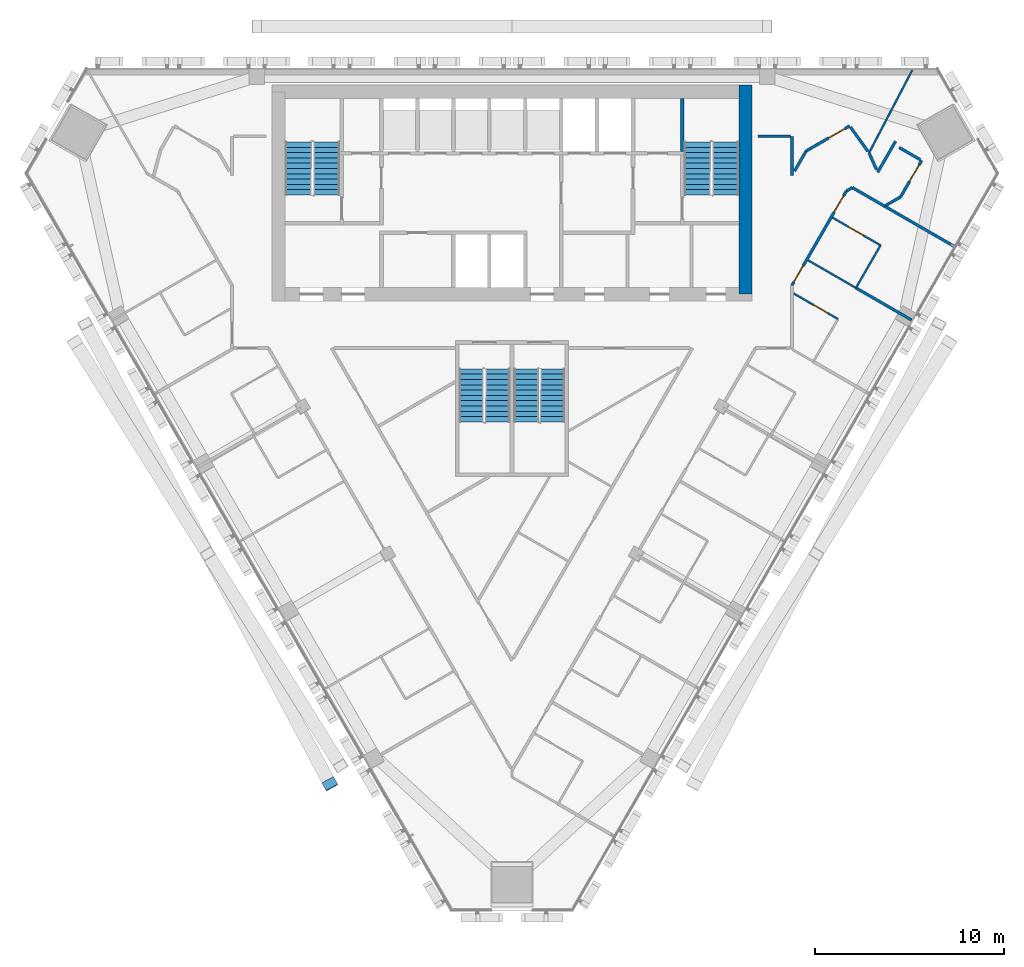
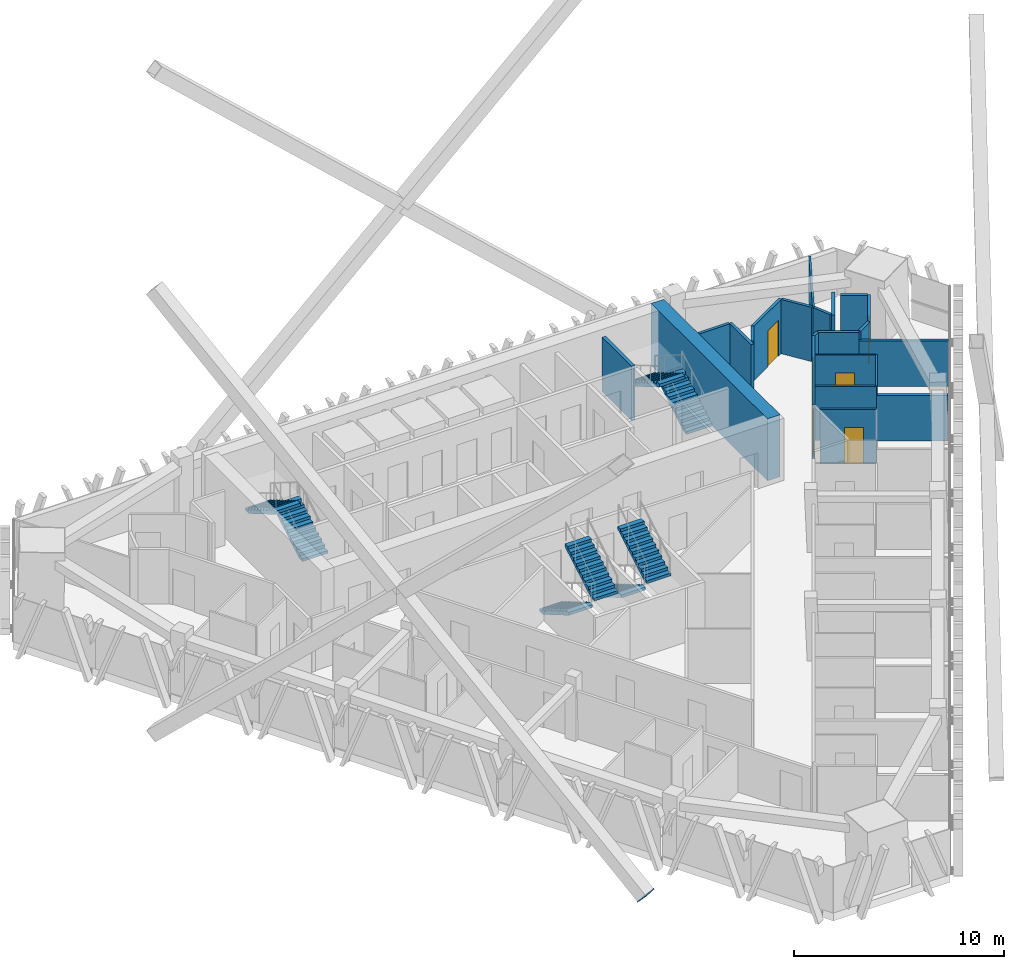
# One storey, part 13 of 17: 22 walls, 8 stair flights, 6 doors, 1 discrete accessory, 6 openings, 4 elements without a shape of their own.
"""IFC4 building model written with IfcOpenShell, lengths in metres."""

from ifc_helpers import new_model, si_unit, direction, frame, frame_2d, origin, origin_2d, place, context, subcontext, project, spatial, polyline, rectangle, outline, extrude, material, layer, layer_set, material_profile, profile_set, type_object, element, fill, aggregate, save


model = new_model("IFC4")

# Units and contexts
model_context = context("Model", 3, precision=1e-05, world=origin(), true_north=direction((0.0, 1.0)))
body_context = subcontext(model_context, "Body", "Model", "MODEL_VIEW")
ifc_project = project(units=[si_unit("LENGTHUNIT", "METRE"), si_unit("AREAUNIT", "SQUARE_METRE"), si_unit("VOLUMEUNIT", "CUBIC_METRE"), si_unit("PLANEANGLEUNIT", "RADIAN"), si_unit("MASSUNIT", "GRAM", prefix="KILO")], contexts=[model_context])

# Site, building, storey
site_placement = place(None, origin())
site = spatial("IfcSite", under=ifc_project, at=site_placement, CompositionType="ELEMENT")
building_placement = place(site_placement, origin())
building = spatial("IfcBuilding", under=site, at=building_placement, Name="Altiplano Prism Tower", CompositionType="ELEMENT")
storey_placement = place(building_placement, frame((0.0, 0.0, 194.39990234375)))
storey = spatial("IfcBuildingStorey", under=building, at=storey_placement, Name="L50", CompositionType="ELEMENT", Elevation=194.39990234375)

# Wall
ifc_material_1 = material(Name="Concrete C60/75", Category="concrete")
ifc_layer_1 = layer(ifc_material_1, 0.699951171875)
ifc_layer_set_1 = layer_set([ifc_layer_1], Name="Concrete C60/75")
wall_type_1 = type_object("IfcWallType", Name="Core wall 700", PredefinedType="SHEAR", material=ifc_layer_set_1)
wall_1_placement = place(storey_placement, frame((97.35009765625, 93.050048828125, 0.0), z_axis=(0.0, 0.0, 1.0), x_axis=(0.0, 1.0, 0.0)))
element("IfcWall", 1, at=wall_1_placement, inside=storey, type_object=wall_type_1, Name="Core wall E L50", PredefinedType="SHEAR", context=body_context, shape_type="SweptSolid", body=[
    extrude(rectangle(XDim=11.050048828125, YDim=0.699951171875, at=frame_2d((5.52490234375, 0.0))), origin(), (0.0, 0.0, 1.0), 3.60009765625),
])

# Wall, opening, door
ifc_material_2 = material(Name="Plasterboard on steel stud", Category="steel")
ifc_layer_2 = layer(ifc_material_2, 0.10009765625)
ifc_layer_set_2 = layer_set([ifc_layer_2], Name="Plasterboard on steel stud")
wall_type_2 = type_object("IfcWallType", Name="Partition 100 unit", PredefinedType="PARTITIONING", material=ifc_layer_set_2)
wall_2_placement = place(storey_placement, frame((99.89990234375, 93.0869140625, 0.0), z_axis=(0.0, 0.0, 1.0), x_axis=(0.866028828302, -0.499994068514, 0.0)))
wall_2 = element("IfcWall", 2, at=wall_2_placement, inside=storey, type_object=wall_type_2, Name="Partition P02 L50 080", PredefinedType="PARTITIONING", context=body_context, shape_type="SweptSolid", body=[
    extrude(rectangle(XDim=2.697265625, YDim=0.10009765625, at=frame_2d((1.3486328125, 0.0))), origin(), (0.0, 0.0, 1.0), 3.150146484375),
])
opening_1_placement = place(wall_2_placement, frame((1.1708984375, 0.0, 0.0)))
opening_1 = element("IfcOpeningElement", 3, at=opening_1_placement, cuts=wall_2, Name="Opening D1765", PredefinedType="OPENING", context=body_context, shape_type="SweptSolid", body=[
    extrude(rectangle(XDim=0.89990234375, YDim=2.10009765625, at=frame_2d((0.449951171875, 1.050048828125))), frame((0.0, 0.060546875, 0.0), z_axis=(0.0, -1.0, 0.0), x_axis=(1.0, 0.0, 0.0)), (0.0, 0.0, 1.0), 0.12109375),
])
ifc_material_3 = material(Name="Timber", Category="wood")
door_type_1 = type_object("IfcDoorType", Name="Ensuite door 900 x 2100", OperationType="NOTDEFINED", PredefinedType="NOTDEFINED", material=ifc_material_3)
door_1_placement = place(opening_1_placement, origin())
door_1 = element("IfcDoor", 4, at=door_1_placement, inside=storey, type_object=door_type_1, Name="Door D1765", OperationType="SINGLE_SWING_RIGHT", OverallHeight=2.10009765625, OverallWidth=0.89990234375, PredefinedType="NOTDEFINED", context=body_context, shape_type="SweptSolid", body=[
    extrude(rectangle(XDim=0.89990234375, YDim=2.10009765625, at=frame_2d((0.449951171875, 1.050048828125))), frame((0.0, 0.02490234375, 0.0), z_axis=(0.0, -1.0, 0.0), x_axis=(1.0, 0.0, 0.0)), (0.0, 0.0, 1.0), 0.050048828125),
])
fill(opening_1, door_1)

wall_3_placement = place(storey_placement, frame((101.952880859375, 97.097900390625, 0.0), z_axis=(0.0, 0.0, 1.0), x_axis=(0.866025730634, -0.499999433879, 0.0)))
wall_3 = element("IfcWall", 5, at=wall_3_placement, inside=storey, type_object=wall_type_2, Name="Partition P02 L50 084", PredefinedType="PARTITIONING", context=body_context, shape_type="SweptSolid", body=[
    extrude(rectangle(XDim=2.9248046875, YDim=0.10009765625, at=frame_2d((1.46240234375, 0.0))), origin(), (0.0, 0.0, 1.0), 3.150146484375),
])
opening_2_placement = place(wall_3_placement, frame((0.97509765625, 0.0, 0.0)))
opening_2 = element("IfcOpeningElement", 6, at=opening_2_placement, cuts=wall_3, Name="Opening D1767", PredefinedType="OPENING", context=body_context, shape_type="SweptSolid", body=[
    extrude(rectangle(XDim=0.89990234375, YDim=2.10009765625, at=frame_2d((0.449951171875, 1.050048828125))), frame((0.0, 0.060546875, 0.0), z_axis=(0.0, -1.0, 0.0), x_axis=(1.0, 0.0, 0.0)), (0.0, 0.0, 1.0), 0.12109375),
])
door_2_placement = place(opening_2_placement, origin())
door_2 = element("IfcDoor", 7, at=door_2_placement, inside=storey, type_object=door_type_1, Name="Door D1767", OperationType="SINGLE_SWING_RIGHT", OverallHeight=2.10009765625, OverallWidth=0.89990234375, PredefinedType="NOTDEFINED", context=body_context, shape_type="SweptSolid", body=[
    extrude(rectangle(XDim=0.89990234375, YDim=2.10009765625, at=frame_2d((0.449951171875, 1.050048828125))), frame((0.0, 0.02490234375, 0.0), z_axis=(0.0, -1.0, 0.0), x_axis=(1.0, 0.0, 0.0)), (0.0, 0.0, 1.0), 0.050048828125),
])
fill(opening_2, door_2)

# Walls
wall_4_placement = place(storey_placement, frame((104.48583984375, 95.635498046875, 0.0), z_axis=(0.0, 0.0, 1.0), x_axis=(-0.499936506574, -0.866062058628, 0.0)))
element("IfcWall", 8, at=wall_4_placement, inside=storey, type_object=wall_type_2, Name="Partition P02 L50 085", PredefinedType="PARTITIONING", context=body_context, shape_type="SweptSolid", body=[
    extrude(rectangle(XDim=2.599853515625, YDim=0.10009765625, at=frame_2d((1.2998046875, 0.0))), origin(), (0.0, 0.0, 1.0), 3.150146484375),
])
ifc_layer_3 = layer(ifc_material_2, 0.10009765625)
ifc_layer_set_3 = layer_set([ifc_layer_3], Name="Plasterboard on steel stud")
wall_type_3 = type_object("IfcWallType", Name="Partition 100 wet", PredefinedType="PARTITIONING", material=ifc_layer_set_3)
wall_5_placement = place(storey_placement, frame((103.18603515625, 93.3837890625, 0.0), z_axis=(0.0, 0.0, 1.0), x_axis=(-0.866046596414, 0.499963291492, 0.0)))
element("IfcWall", 9, at=wall_5_placement, inside=storey, type_object=wall_type_3, Name="Partition P03 L50 083", PredefinedType="PARTITIONING", context=body_context, shape_type="SweptSolid", body=[
    extrude(rectangle(XDim=2.925048828125, YDim=0.10009765625, at=frame_2d((1.46240234375, 0.0))), origin(), (0.0, 0.0, 1.0), 3.150146484375),
])
wall_6_placement = place(storey_placement, frame((106.1650390625, 104.89990234375, 0.0), z_axis=(0.0, 0.0, 1.0), x_axis=(-0.462924145424, -0.886397899131, 0.0)))
element("IfcWall", 10, at=wall_6_placement, inside=storey, type_object=wall_type_3, Name="Partition P03 L50 087", PredefinedType="PARTITIONING", context=body_context, shape_type="SweptSolid", body=[
    extrude(rectangle(XDim=4.9384765625, YDim=0.10009765625, at=frame_2d((2.46923828125, 0.0))), origin(), (0.0, 0.0, 1.0), 2.650146484375),
])
ifc_layer_4 = layer(ifc_material_2, 0.14990234375)
ifc_layer_set_4 = layer_set([ifc_layer_4], Name="Plasterboard on steel stud")
wall_type_4 = type_object("IfcWallType", Name="Partition 150 corridor", PredefinedType="PARTITIONING", material=ifc_layer_set_4)
wall_7_placement = place(storey_placement, frame((102.67578125, 98.5, 0.0), z_axis=(0.0, 0.0, 1.0), x_axis=(0.865946660792, 0.500136362069, 0.0)))
element("IfcWall", 11, at=wall_7_placement, inside=storey, type_object=wall_type_4, Name="Partition P06 L50 011", PredefinedType="PARTITIONING", context=body_context, shape_type="SweptSolid", body=[
    extrude(rectangle(XDim=0.37451171875, YDim=0.14990234375, at=frame_2d((0.187255859375, 0.0))), origin(), (0.0, 0.0, 1.0), 3.150146484375),
])
wall_8_placement = place(storey_placement, frame((103.0, 98.687255859375, 0.0), z_axis=(0.0, 0.0, 1.0), x_axis=(0.865995203459, -0.50005230485, 0.0)))
element("IfcWall", 12, at=wall_8_placement, inside=storey, type_object=wall_type_4, Name="Partition P06 L50 012", PredefinedType="PARTITIONING", context=body_context, shape_type="SweptSolid", body=[
    extrude(rectangle(XDim=1.986083984375, YDim=0.14990234375, at=frame_2d((0.9931640625, 0.0))), origin(), (0.0, 0.0, 1.0), 3.150146484375),
])

# Wall, openings, doors
wall_9_placement = place(storey_placement, frame((99.800048828125, 93.51904296875, 0.0), z_axis=(0.0, 0.0, 1.0), x_axis=(0.499996810272, 0.866027245367, 0.0)))
wall_9 = element("IfcWall", 13, at=wall_9_placement, inside=storey, type_object=wall_type_4, Name="Partition P06 L50 013", PredefinedType="PARTITIONING", context=body_context, shape_type="SweptSolid", body=[
    extrude(rectangle(XDim=5.75146484375, YDim=0.14990234375, at=frame_2d((2.875732421875, 0.0))), origin(), (0.0, 0.0, 1.0), 3.150146484375),
])
opening_3_placement = place(wall_9_placement, frame((0.199951171875, 0.0, 0.0)))
opening_3 = element("IfcOpeningElement", 14, at=opening_3_placement, cuts=wall_9, Name="Opening D1764", PredefinedType="OPENING", context=body_context, shape_type="SweptSolid", body=[
    extrude(rectangle(XDim=1.0, YDim=2.10009765625, at=frame_2d((0.5, 1.050048828125))), frame((0.0, 0.08544921875, 0.0), z_axis=(0.0, -1.0, 0.0), x_axis=(1.0, 0.0, 0.0)), (0.0, 0.0, 1.0), 0.1708984375),
])
opening_4_placement = place(wall_9_placement, frame((4.468994140625, 0.0, 0.0)))
opening_4 = element("IfcOpeningElement", 15, at=opening_4_placement, cuts=wall_9, Name="Opening D1766", PredefinedType="OPENING", context=body_context, shape_type="SweptSolid", body=[
    extrude(rectangle(XDim=1.0, YDim=2.10009765625, at=frame_2d((0.5, 1.050048828125))), frame((0.0, 0.08544921875, 0.0), z_axis=(0.0, -1.0, 0.0), x_axis=(1.0, 0.0, 0.0)), (0.0, 0.0, 1.0), 0.1708984375),
])
door_type_2 = type_object("IfcDoorType", Name="Bedroom entrance door 1000 x 2100", OperationType="NOTDEFINED", PredefinedType="NOTDEFINED", material=ifc_material_3)
door_3_placement = place(opening_3_placement, origin())
door_3 = element("IfcDoor", 16, at=door_3_placement, inside=storey, type_object=door_type_2, Name="Door D1764", OperationType="SINGLE_SWING_LEFT", OverallHeight=2.10009765625, OverallWidth=1.0, PredefinedType="NOTDEFINED", context=body_context, shape_type="SweptSolid", body=[
    extrude(rectangle(XDim=1.0, YDim=2.10009765625, at=frame_2d((0.5, 1.050048828125))), frame((0.0, 0.02490234375, 0.0), z_axis=(0.0, -1.0, 0.0), x_axis=(1.0, 0.0, 0.0)), (0.0, 0.0, 1.0), 0.050048828125),
])
fill(opening_3, door_3)
door_4_placement = place(opening_4_placement, origin())
door_4 = element("IfcDoor", 17, at=door_4_placement, inside=storey, type_object=door_type_2, Name="Door D1766", OperationType="SINGLE_SWING_LEFT", OverallHeight=2.10009765625, OverallWidth=1.0, PredefinedType="NOTDEFINED", context=body_context, shape_type="SweptSolid", body=[
    extrude(rectangle(XDim=1.0, YDim=2.10009765625, at=frame_2d((0.5, 1.050048828125))), frame((0.0, 0.02490234375, 0.0), z_axis=(0.0, -1.0, 0.0), x_axis=(1.0, 0.0, 0.0)), (0.0, 0.0, 1.0), 0.050048828125),
])
fill(opening_4, door_4)

# Wall
wall_10_placement = place(storey_placement, frame((104.766357421875, 97.743896484375, 0.0), z_axis=(0.0, 0.0, 1.0), x_axis=(0.865951076121, 0.500128717197, 0.0)))
element("IfcWall", 18, at=wall_10_placement, inside=storey, type_object=wall_type_4, Name="Partition P06 L50 014", PredefinedType="PARTITIONING", context=body_context, shape_type="SweptSolid", body=[
    extrude(rectangle(XDim=0.901611328125, YDim=0.14990234375, at=frame_2d((0.45068359375, 0.0))), origin(), (0.0, 0.0, 1.0), 3.150146484375),
])

# Wall, opening, door
wall_11_placement = place(storey_placement, frame((105.547119140625, 98.19482421875, 0.0), z_axis=(0.0, 0.0, 1.0), x_axis=(0.499985160367, 0.866033971281, 0.0)))
wall_11 = element("IfcWall", 19, at=wall_11_placement, inside=storey, type_object=wall_type_4, Name="Partition P06 L50 015", PredefinedType="PARTITIONING", context=body_context, shape_type="SweptSolid", body=[
    extrude(rectangle(XDim=2.2255859375, YDim=0.14990234375, at=frame_2d((1.11279296875, 0.0))), origin(), (0.0, 0.0, 1.0), 3.150146484375),
])
opening_5_placement = place(wall_11_placement, frame((0.9599609375, 0.0, 0.0)))
opening_5 = element("IfcOpeningElement", 20, at=opening_5_placement, cuts=wall_11, Name="Opening D1768", PredefinedType="OPENING", context=body_context, shape_type="SweptSolid", body=[
    extrude(rectangle(XDim=1.0, YDim=2.10009765625, at=frame_2d((0.5, 1.050048828125))), frame((0.0, 0.08544921875, 0.0), z_axis=(0.0, -1.0, 0.0), x_axis=(1.0, 0.0, 0.0)), (0.0, 0.0, 1.0), 0.1708984375),
])
door_type_3 = type_object("IfcDoorType", Name="Room door 1000 x 2100", OperationType="NOTDEFINED", PredefinedType="NOTDEFINED", material=ifc_material_3)
door_5_placement = place(opening_5_placement, origin())
door_5 = element("IfcDoor", 21, at=door_5_placement, inside=storey, type_object=door_type_3, Name="Door D1768", OperationType="SINGLE_SWING_LEFT", OverallHeight=2.10009765625, OverallWidth=1.0, PredefinedType="NOTDEFINED", context=body_context, shape_type="SweptSolid", body=[
    extrude(rectangle(XDim=1.0, YDim=2.10009765625, at=frame_2d((0.5, 1.050048828125))), frame((0.0, 0.02490234375, 0.0), z_axis=(0.0, -1.0, 0.0), x_axis=(1.0, 0.0, 0.0)), (0.0, 0.0, 1.0), 0.050048828125),
])
fill(opening_5, door_5)

# Walls
wall_12_placement = place(storey_placement, frame((106.594970703125, 100.15966796875, 0.0), z_axis=(0.0, 0.0, 1.0), x_axis=(-0.865999760466, 0.500044412901, 0.0)))
element("IfcWall", 22, at=wall_12_placement, inside=storey, type_object=wall_type_4, Name="Partition P06 L50 016", PredefinedType="PARTITIONING", context=body_context, shape_type="SweptSolid", body=[
    extrude(rectangle(XDim=1.291015625, YDim=0.14990234375, at=frame_2d((0.6455078125, 0.0))), origin(), (0.0, 0.0, 1.0), 3.150146484375),
])
wall_13_placement = place(storey_placement, frame((105.2841796875, 101.139404296875, 0.0), z_axis=(0.0, 0.0, 1.0), x_axis=(-0.50000898992, -0.86602021339, 0.0)))
element("IfcWall", 23, at=wall_13_placement, inside=storey, type_object=wall_type_4, Name="Partition P06 L50 017", PredefinedType="PARTITIONING", context=body_context, shape_type="SweptSolid", body=[
    extrude(rectangle(XDim=1.89306640625, YDim=0.14990234375, at=frame_2d((0.946533203125, 0.0))), origin(), (0.0, 0.0, 1.0), 3.150146484375),
])
wall_14_placement = place(storey_placement, frame((104.277587890625, 99.6337890625, 0.0), z_axis=(0.0, 0.0, 1.0), x_axis=(-0.409322178259, 0.912389913571, 0.0)))
element("IfcWall", 24, at=wall_14_placement, inside=storey, type_object=wall_type_4, Name="Partition P06 L50 018", PredefinedType="PARTITIONING", context=body_context, shape_type="SweptSolid", body=[
    extrude(rectangle(XDim=0.97412109375, YDim=0.14990234375, at=frame_2d((0.487060546875, 0.0))), origin(), (0.0, 0.0, 1.0), 3.150146484375),
])
wall_15_placement = place(storey_placement, frame((103.82421875, 100.5986328125, 0.0), z_axis=(0.0, 0.0, 1.0), x_axis=(-0.583515838317, 0.812101758669, 0.0)))
element("IfcWall", 25, at=wall_15_placement, inside=storey, type_object=wall_type_4, Name="Partition P06 L50 019", PredefinedType="PARTITIONING", context=body_context, shape_type="SweptSolid", body=[
    extrude(rectangle(XDim=1.59033203125, YDim=0.14990234375, at=frame_2d((0.795166015625, 0.0))), origin(), (0.0, 0.0, 1.0), 3.150146484375),
])

# Wall, opening, door
wall_16_placement = place(storey_placement, frame((102.852783203125, 101.950927734375, 0.0), z_axis=(0.0, 0.0, 1.0), x_axis=(-0.866034036823, -0.49998504684, 0.0)))
wall_16 = element("IfcWall", 26, at=wall_16_placement, inside=storey, type_object=wall_type_4, Name="Partition P06 L50 020", PredefinedType="PARTITIONING", context=body_context, shape_type="SweptSolid", body=[
    extrude(rectangle(XDim=2.65576171875, YDim=0.14990234375, at=frame_2d((1.327880859375, 0.0))), origin(), (0.0, 0.0, 1.0), 3.150146484375),
])
opening_6_placement = place(wall_16_placement, frame((0.2900390625, 0.0, 0.0)))
opening_6 = element("IfcOpeningElement", 27, at=opening_6_placement, cuts=wall_16, Name="Opening D1769", PredefinedType="OPENING", context=body_context, shape_type="SweptSolid", body=[
    extrude(rectangle(XDim=1.0, YDim=2.10009765625, at=frame_2d((0.5, 1.050048828125))), frame((0.0, 0.08544921875, 0.0), z_axis=(0.0, -1.0, 0.0), x_axis=(1.0, 0.0, 0.0)), (0.0, 0.0, 1.0), 0.1708984375),
])
door_6_placement = place(opening_6_placement, origin())
door_6 = element("IfcDoor", 28, at=door_6_placement, inside=storey, type_object=door_type_3, Name="Door D1769", OperationType="SINGLE_SWING_RIGHT", OverallHeight=2.10009765625, OverallWidth=1.0, PredefinedType="NOTDEFINED", context=body_context, shape_type="SweptSolid", body=[
    extrude(rectangle(XDim=1.0, YDim=2.10009765625, at=frame_2d((0.5, 1.050048828125))), frame((0.0, 0.02490234375, 0.0), z_axis=(0.0, -1.0, 0.0), x_axis=(1.0, 0.0, 0.0)), (0.0, 0.0, 1.0), 0.050048828125),
])
fill(opening_6, door_6)

# Walls
wall_17_placement = place(storey_placement, frame((100.552734375, 100.623046875, 0.0), z_axis=(0.0, 0.0, 1.0), x_axis=(-0.499952348839, -0.866052913447, 0.0)))
element("IfcWall", 29, at=wall_17_placement, inside=storey, type_object=wall_type_4, Name="Partition P06 L50 021", PredefinedType="PARTITIONING", context=body_context, shape_type="SweptSolid", body=[
    extrude(rectangle(XDim=1.2255859375, YDim=0.14990234375, at=frame_2d((0.61279296875, 0.0))), origin(), (0.0, 0.0, 1.0), 3.150146484375),
])
wall_18_placement = place(storey_placement, frame((99.800048828125, 99.319091796875, 0.0), z_axis=(0.0, 0.0, 1.0), x_axis=(0.0, 1.0, 0.0)))
element("IfcWall", 30, at=wall_18_placement, inside=storey, type_object=wall_type_4, Name="Partition P06 L50 022", PredefinedType="PARTITIONING", context=body_context, shape_type="SweptSolid", body=[
    extrude(rectangle(XDim=2.080810546875, YDim=0.14990234375, at=frame_2d((1.04052734375, 0.0))), origin(), (0.0, 0.0, 1.0), 3.150146484375),
])
wall_19_placement = place(storey_placement, frame((99.72509765625, 101.39990234375, 0.0), z_axis=(0.0, 0.0, 1.0), x_axis=(-1.0, 0.0, 0.0)))
element("IfcWall", 31, at=wall_19_placement, inside=storey, type_object=wall_type_4, Name="Partition P06 L50 023", PredefinedType="PARTITIONING", context=body_context, shape_type="SweptSolid", body=[
    extrude(rectangle(XDim=1.72509765625, YDim=0.14990234375, at=frame_2d((0.862548828125, 0.0))), origin(), (0.0, 0.0, 1.0), 3.150146484375),
])
ifc_layer_5 = layer(ifc_material_2, 0.14990234375)
ifc_layer_set_5 = layer_set([ifc_layer_5], Name="Plasterboard on steel stud")
wall_type_5 = type_object("IfcWallType", Name="Partition 150 party", PredefinedType="PARTITIONING", material=ifc_layer_set_5)
wall_20_placement = place(storey_placement, frame((106.13037109375, 91.683837890625, 0.0), z_axis=(0.0, 0.0, 1.0), x_axis=(-0.866020560687, 0.500008388397, 0.0)))
element("IfcWall", 32, at=wall_20_placement, inside=storey, type_object=wall_type_5, Name="Partition P01 L50 082", PredefinedType="PARTITIONING", context=body_context, shape_type="SweptSolid", body=[
    extrude(rectangle(XDim=3.39990234375, YDim=0.14990234375, at=frame_2d((1.699951171875, 0.0))), origin(), (0.0, 0.0, 1.0), 2.650146484375),
])
wall_21_placement = place(storey_placement, frame((108.39794921875, 95.57080078125, 0.0), z_axis=(0.0, 0.0, 1.0), x_axis=(-0.866028486751, 0.499994660107, 0.0)))
element("IfcWall", 33, at=wall_21_placement, inside=storey, type_object=wall_type_5, Name="Partition P01 L50 086", PredefinedType="PARTITIONING", context=body_context, shape_type="SweptSolid", body=[
    extrude(rectangle(XDim=4.27001953125, YDim=0.14990234375, at=frame_2d((2.135009765625, 0.0))), origin(), (0.0, 0.0, 1.0), 2.650146484375),
])
ifc_layer_6 = layer(ifc_material_1, 0.199951171875)
ifc_layer_set_6 = layer_set([ifc_layer_6], Name="Concrete C60/75")
wall_type_6 = type_object("IfcWallType", Name="Stair wall 200", PredefinedType="SOLIDWALL", material=ifc_layer_set_6)
wall_22_placement = place(storey_placement, frame((94.0, 100.60009765625, 0.0), z_axis=(0.0, 0.0, 1.0), x_axis=(0.0, 1.0, 0.0)))
element("IfcWall", 34, at=wall_22_placement, inside=storey, type_object=wall_type_6, Name="Stair wall L50", PredefinedType="SOLIDWALL", context=body_context, shape_type="SweptSolid", body=[
    extrude(rectangle(XDim=2.7998046875, YDim=0.199951171875, at=frame_2d((1.39990234375, 0.0))), origin(), (0.0, 0.0, 1.0), 3.150146484375),
])

# Stair, stair flights
ifc_material_4 = material(Name="Concrete C40/50", Category="concrete")
stair_type_1 = type_object("IfcStairType", Name="Exit stair 1400", PredefinedType="HALF_TURN_STAIR", material=ifc_material_4)
stair_1_placement = place(storey_placement, origin())
stair_1 = element("IfcStair", 35, at=stair_1_placement, inside=storey, type_object=stair_type_1, Name="L50 Exit Stair 1", PredefinedType="HALF_TURN_STAIR")
stair_flight_type = type_object("IfcStairFlightType", Name="Stair flight concrete 150", PredefinedType="STRAIGHT", material=ifc_material_4)
stair_flight_1_placement = place(storey_placement, frame((75.199951171875, 98.300048828125, 0.0), z_axis=(0.0, 0.0, 1.0), x_axis=(0.0, 1.0, 0.0)))
stair_flight_1 = element("IfcStairFlight", 36, at=stair_flight_1_placement, type_object=stair_flight_type, Name="ST1 flight 1", NumberOfRisers=11, NumberOfTreads=10, PredefinedType="STRAIGHT", RiserHeight=0.163636364, TreadLength=0.28, context=body_context, shape_type="SweptSolid", body=[
    extrude(outline(polyline([(0.0, 0.0), (0.0, 0.16357421875), (0.280029296875, 0.16357421875), (0.280029296875, 0.327392578125), (0.56005859375, 0.327392578125), (0.56005859375, 0.490966796875), (0.840087890625, 0.490966796875), (0.840087890625, 0.654541015625), (1.1201171875, 0.654541015625), (1.1201171875, 0.818115234375), (1.39990234375, 0.818115234375), (1.39990234375, 0.98193359375), (1.679931640625, 0.98193359375), (1.679931640625, 1.1455078125), (1.9599609375, 1.1455078125), (1.9599609375, 1.30908203125), (2.239990234375, 1.30908203125), (2.239990234375, 1.47265625), (2.52001953125, 1.47265625), (2.52001953125, 1.636474609375), (2.800048828125, 1.636474609375), (2.800048828125, 1.800048828125), (2.800048828125, 1.462646484375), (0.297119140625, 0.0), (0.0, 0.0)])), frame((0.0, 0.699951171875, 0.0), z_axis=(0.0, -1.0, 0.0), x_axis=(1.0, 0.0, 0.0)), (0.0, 0.0, 1.0), 1.39990234375),
])
stair_flight_2_placement = place(storey_placement, frame((73.699951171875, 101.10009765625, 1.800048828125), z_axis=(0.0, 0.0, 1.0), x_axis=(0.0, -1.0, 0.0)))
stair_flight_2 = element("IfcStairFlight", 37, at=stair_flight_2_placement, type_object=stair_flight_type, Name="ST1 flight 2", NumberOfRisers=11, NumberOfTreads=10, PredefinedType="STRAIGHT", RiserHeight=0.163636364, TreadLength=0.28, context=body_context, shape_type="SweptSolid", body=[
    extrude(outline(polyline([(0.0, 0.0), (0.0, 0.16357421875), (0.280029296875, 0.16357421875), (0.280029296875, 0.327392578125), (0.56005859375, 0.327392578125), (0.56005859375, 0.490966796875), (0.840087890625, 0.490966796875), (0.840087890625, 0.654541015625), (1.1201171875, 0.654541015625), (1.1201171875, 0.818115234375), (1.39990234375, 0.818115234375), (1.39990234375, 0.98193359375), (1.679931640625, 0.98193359375), (1.679931640625, 1.1455078125), (1.9599609375, 1.1455078125), (1.9599609375, 1.30908203125), (2.239990234375, 1.30908203125), (2.239990234375, 1.47265625), (2.52001953125, 1.47265625), (2.52001953125, 1.636474609375), (2.800048828125, 1.636474609375), (2.800048828125, 1.800048828125), (2.800048828125, 1.462646484375), (0.297119140625, 0.0), (0.0, 0.0)])), frame((0.0, 0.699951171875, 0.0), z_axis=(0.0, -1.0, 0.0), x_axis=(1.0, 0.0, 0.0)), (0.0, 0.0, 1.0), 1.39990234375),
])
aggregate(stair_1, [stair_flight_1, stair_flight_2])

stair_2_placement = place(storey_placement, origin())
stair_2 = element("IfcStair", 38, at=stair_2_placement, inside=storey, type_object=stair_type_1, Name="L50 Exit Stair 2", PredefinedType="HALF_TURN_STAIR")
stair_flight_3_placement = place(storey_placement, frame((96.300048828125, 98.300048828125, 0.0), z_axis=(0.0, 0.0, 1.0), x_axis=(0.0, 1.0, 0.0)))
stair_flight_3 = element("IfcStairFlight", 39, at=stair_flight_3_placement, type_object=stair_flight_type, Name="ST2 flight 1", NumberOfRisers=11, NumberOfTreads=10, PredefinedType="STRAIGHT", RiserHeight=0.163636364, TreadLength=0.28, context=body_context, shape_type="SweptSolid", body=[
    extrude(outline(polyline([(0.0, 0.0), (0.0, 0.16357421875), (0.280029296875, 0.16357421875), (0.280029296875, 0.327392578125), (0.56005859375, 0.327392578125), (0.56005859375, 0.490966796875), (0.840087890625, 0.490966796875), (0.840087890625, 0.654541015625), (1.1201171875, 0.654541015625), (1.1201171875, 0.818115234375), (1.39990234375, 0.818115234375), (1.39990234375, 0.98193359375), (1.679931640625, 0.98193359375), (1.679931640625, 1.1455078125), (1.9599609375, 1.1455078125), (1.9599609375, 1.30908203125), (2.239990234375, 1.30908203125), (2.239990234375, 1.47265625), (2.52001953125, 1.47265625), (2.52001953125, 1.636474609375), (2.800048828125, 1.636474609375), (2.800048828125, 1.800048828125), (2.800048828125, 1.462646484375), (0.297119140625, 0.0), (0.0, 0.0)])), frame((0.0, 0.699951171875, 0.0), z_axis=(0.0, -1.0, 0.0), x_axis=(1.0, 0.0, 0.0)), (0.0, 0.0, 1.0), 1.39990234375),
])
stair_flight_4_placement = place(storey_placement, frame((94.800048828125, 101.10009765625, 1.800048828125), z_axis=(0.0, 0.0, 1.0), x_axis=(0.0, -1.0, 0.0)))
stair_flight_4 = element("IfcStairFlight", 40, at=stair_flight_4_placement, type_object=stair_flight_type, Name="ST2 flight 2", NumberOfRisers=11, NumberOfTreads=10, PredefinedType="STRAIGHT", RiserHeight=0.163636364, TreadLength=0.28, context=body_context, shape_type="SweptSolid", body=[
    extrude(outline(polyline([(0.0, 0.0), (0.0, 0.16357421875), (0.280029296875, 0.16357421875), (0.280029296875, 0.327392578125), (0.56005859375, 0.327392578125), (0.56005859375, 0.490966796875), (0.840087890625, 0.490966796875), (0.840087890625, 0.654541015625), (1.1201171875, 0.654541015625), (1.1201171875, 0.818115234375), (1.39990234375, 0.818115234375), (1.39990234375, 0.98193359375), (1.679931640625, 0.98193359375), (1.679931640625, 1.1455078125), (1.9599609375, 1.1455078125), (1.9599609375, 1.30908203125), (2.239990234375, 1.30908203125), (2.239990234375, 1.47265625), (2.52001953125, 1.47265625), (2.52001953125, 1.636474609375), (2.800048828125, 1.636474609375), (2.800048828125, 1.800048828125), (2.800048828125, 1.462646484375), (0.297119140625, 0.0), (0.0, 0.0)])), frame((0.0, 0.699951171875, 0.0), z_axis=(0.0, -1.0, 0.0), x_axis=(1.0, 0.0, 0.0)), (0.0, 0.0, 1.0), 1.39990234375),
])
aggregate(stair_2, [stair_flight_3, stair_flight_4])

stair_type_2 = type_object("IfcStairType", Name="Exit stair 1300", PredefinedType="HALF_TURN_STAIR", material=ifc_material_4)
stair_3_placement = place(storey_placement, origin())
stair_3 = element("IfcStair", 41, at=stair_3_placement, inside=storey, type_object=stair_type_2, Name="L50 Exit Stair 3A", PredefinedType="HALF_TURN_STAIR")
stair_flight_5_placement = place(storey_placement, frame((82.85009765625, 89.10009765625, 0.0), z_axis=(0.0, 0.0, 1.0), x_axis=(0.0, -1.0, 0.0)))
stair_flight_5 = element("IfcStairFlight", 42, at=stair_flight_5_placement, type_object=stair_flight_type, Name="ST3A flight 1", NumberOfRisers=11, NumberOfTreads=10, PredefinedType="STRAIGHT", RiserHeight=0.163636364, TreadLength=0.28, context=body_context, shape_type="SweptSolid", body=[
    extrude(outline(polyline([(0.0, 0.0), (0.0, 0.16357421875), (0.280029296875, 0.16357421875), (0.280029296875, 0.327392578125), (0.56005859375, 0.327392578125), (0.56005859375, 0.490966796875), (0.840087890625, 0.490966796875), (0.840087890625, 0.654541015625), (1.1201171875, 0.654541015625), (1.1201171875, 0.818115234375), (1.39990234375, 0.818115234375), (1.39990234375, 0.98193359375), (1.679931640625, 0.98193359375), (1.679931640625, 1.1455078125), (1.9599609375, 1.1455078125), (1.9599609375, 1.30908203125), (2.239990234375, 1.30908203125), (2.239990234375, 1.47265625), (2.52001953125, 1.47265625), (2.52001953125, 1.636474609375), (2.800048828125, 1.636474609375), (2.800048828125, 1.800048828125), (2.800048828125, 1.462646484375), (0.297119140625, 0.0), (0.0, 0.0)])), frame((0.0, 0.64990234375, 0.0), z_axis=(0.0, -1.0, 0.0), x_axis=(1.0, 0.0, 0.0)), (0.0, 0.0, 1.0), 1.300048828125),
])
stair_flight_6_placement = place(storey_placement, frame((84.25, 86.300048828125, 1.800048828125), z_axis=(0.0, 0.0, 1.0), x_axis=(0.0, 1.0, 0.0)))
stair_flight_6 = element("IfcStairFlight", 43, at=stair_flight_6_placement, type_object=stair_flight_type, Name="ST3A flight 2", NumberOfRisers=11, NumberOfTreads=10, PredefinedType="STRAIGHT", RiserHeight=0.163636364, TreadLength=0.28, context=body_context, shape_type="SweptSolid", body=[
    extrude(outline(polyline([(0.0, 0.0), (0.0, 0.16357421875), (0.280029296875, 0.16357421875), (0.280029296875, 0.327392578125), (0.56005859375, 0.327392578125), (0.56005859375, 0.490966796875), (0.840087890625, 0.490966796875), (0.840087890625, 0.654541015625), (1.1201171875, 0.654541015625), (1.1201171875, 0.818115234375), (1.39990234375, 0.818115234375), (1.39990234375, 0.98193359375), (1.679931640625, 0.98193359375), (1.679931640625, 1.1455078125), (1.9599609375, 1.1455078125), (1.9599609375, 1.30908203125), (2.239990234375, 1.30908203125), (2.239990234375, 1.47265625), (2.52001953125, 1.47265625), (2.52001953125, 1.636474609375), (2.800048828125, 1.636474609375), (2.800048828125, 1.800048828125), (2.800048828125, 1.462646484375), (0.297119140625, 0.0), (0.0, 0.0)])), frame((0.0, 0.64990234375, 0.0), z_axis=(0.0, -1.0, 0.0), x_axis=(1.0, 0.0, 0.0)), (0.0, 0.0, 1.0), 1.300048828125),
])
aggregate(stair_3, [stair_flight_5, stair_flight_6])

stair_4_placement = place(storey_placement, origin())
stair_4 = element("IfcStair", 44, at=stair_4_placement, inside=storey, type_object=stair_type_2, Name="L50 Exit Stair 3B", PredefinedType="HALF_TURN_STAIR")
stair_flight_7_placement = place(storey_placement, frame((85.75, 89.10009765625, 0.0), z_axis=(0.0, 0.0, 1.0), x_axis=(0.0, -1.0, 0.0)))
stair_flight_7 = element("IfcStairFlight", 45, at=stair_flight_7_placement, type_object=stair_flight_type, Name="ST3B flight 1", NumberOfRisers=11, NumberOfTreads=10, PredefinedType="STRAIGHT", RiserHeight=0.163636364, TreadLength=0.28, context=body_context, shape_type="SweptSolid", body=[
    extrude(outline(polyline([(0.0, 0.0), (0.0, 0.16357421875), (0.280029296875, 0.16357421875), (0.280029296875, 0.327392578125), (0.56005859375, 0.327392578125), (0.56005859375, 0.490966796875), (0.840087890625, 0.490966796875), (0.840087890625, 0.654541015625), (1.1201171875, 0.654541015625), (1.1201171875, 0.818115234375), (1.39990234375, 0.818115234375), (1.39990234375, 0.98193359375), (1.679931640625, 0.98193359375), (1.679931640625, 1.1455078125), (1.9599609375, 1.1455078125), (1.9599609375, 1.30908203125), (2.239990234375, 1.30908203125), (2.239990234375, 1.47265625), (2.52001953125, 1.47265625), (2.52001953125, 1.636474609375), (2.800048828125, 1.636474609375), (2.800048828125, 1.800048828125), (2.800048828125, 1.462646484375), (0.297119140625, 0.0), (0.0, 0.0)])), frame((0.0, 0.64990234375, 0.0), z_axis=(0.0, -1.0, 0.0), x_axis=(1.0, 0.0, 0.0)), (0.0, 0.0, 1.0), 1.300048828125),
])
stair_flight_8_placement = place(storey_placement, frame((87.14990234375, 86.300048828125, 1.800048828125), z_axis=(0.0, 0.0, 1.0), x_axis=(0.0, 1.0, 0.0)))
stair_flight_8 = element("IfcStairFlight", 46, at=stair_flight_8_placement, type_object=stair_flight_type, Name="ST3B flight 2", NumberOfRisers=11, NumberOfTreads=10, PredefinedType="STRAIGHT", RiserHeight=0.163636364, TreadLength=0.28, context=body_context, shape_type="SweptSolid", body=[
    extrude(outline(polyline([(0.0, 0.0), (0.0, 0.16357421875), (0.280029296875, 0.16357421875), (0.280029296875, 0.327392578125), (0.56005859375, 0.327392578125), (0.56005859375, 0.490966796875), (0.840087890625, 0.490966796875), (0.840087890625, 0.654541015625), (1.1201171875, 0.654541015625), (1.1201171875, 0.818115234375), (1.39990234375, 0.818115234375), (1.39990234375, 0.98193359375), (1.679931640625, 0.98193359375), (1.679931640625, 1.1455078125), (1.9599609375, 1.1455078125), (1.9599609375, 1.30908203125), (2.239990234375, 1.30908203125), (2.239990234375, 1.47265625), (2.52001953125, 1.47265625), (2.52001953125, 1.636474609375), (2.800048828125, 1.636474609375), (2.800048828125, 1.800048828125), (2.800048828125, 1.462646484375), (0.297119140625, 0.0), (0.0, 0.0)])), frame((0.0, 0.64990234375, 0.0), z_axis=(0.0, -1.0, 0.0), x_axis=(1.0, 0.0, 0.0)), (0.0, 0.0, 1.0), 1.300048828125),
])
aggregate(stair_4, [stair_flight_7, stair_flight_8])

# Discrete accessory
ifc_material_5 = material(Name="Steel S355", Category="steel")
ifc_material_profile = material_profile(ifc_material_5, rectangle(XDim=0.699951171875, YDim=0.699951171875, at=origin_2d()), Name="Brace end plate 700x700x35")
ifc_profile_set = profile_set([ifc_material_profile], Name="Steel S355")
discrete_accessory_type = type_object("IfcDiscreteAccessoryType", Name="Brace end plate 700x700x35", PredefinedType="ANCHORPLATE", material=ifc_profile_set)
discrete_accessory_placement = place(storey_placement, frame((75.377685546875, 67.151123046875, -0.7998046875), z_axis=(-0.350370713147, 0.651689526454, 0.672711769243), x_axis=(-0.880775023811, -0.473534959038, 0.0)))
element("IfcDiscreteAccessory", 47, at=discrete_accessory_placement, inside=storey, type_object=discrete_accessory_type, Name="Brace end plate Mega brace 5.1.3 end 1", PredefinedType="ANCHORPLATE", context=body_context, shape_type="SweptSolid", body=[
    extrude(rectangle(XDim=0.699951171875, YDim=0.699951171875, at=origin_2d()), origin(), (0.0, 0.0, 1.0), 0.034912109375),
])

save(model, "model.ifc")
